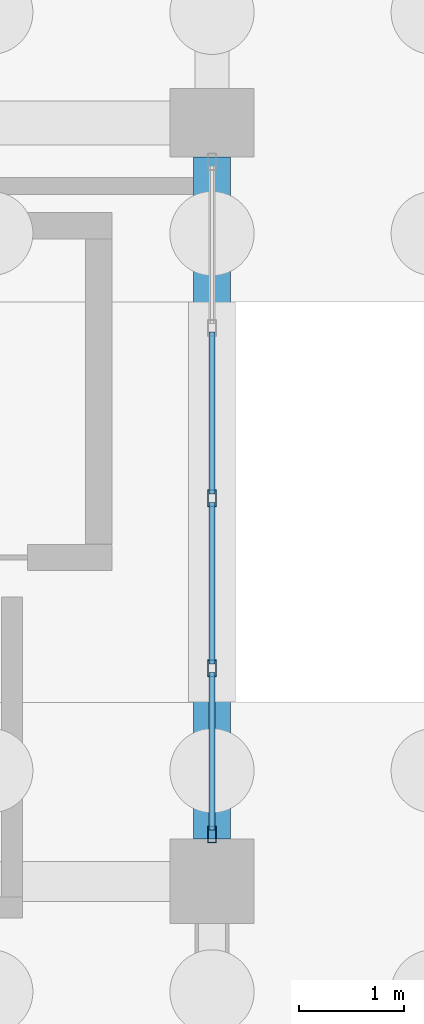
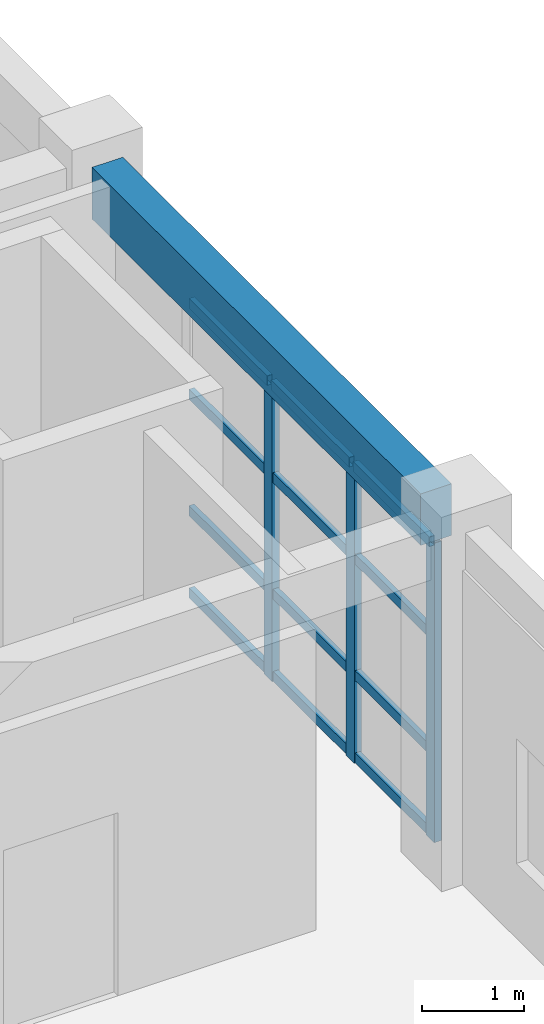
# One storey, part 96 of 166: 15 members, 1 beam, 1 element without a shape of its own.
"""IFC4 building model written with IfcOpenShell, lengths in metres."""

from ifc_helpers import new_model, si_unit, direction, frame, origin, origin_2d, place, context, subcontext, project, spatial, rectangle, hollow_rectangle, extrude, material, material_profile, profile_set, type_object, element, aggregate, save


model = new_model("IFC4")

# Units and contexts
model_context = context("Model", 3, precision=1e-05, world=origin(), true_north=direction((0.0, 1.0)))
body_context = subcontext(model_context, "Body", "Model", "MODEL_VIEW")
ifc_project = project(units=[si_unit("LENGTHUNIT", "METRE"), si_unit("AREAUNIT", "SQUARE_METRE"), si_unit("VOLUMEUNIT", "CUBIC_METRE"), si_unit("PLANEANGLEUNIT", "RADIAN"), si_unit("MASSUNIT", "GRAM", prefix="KILO")], contexts=[model_context])

# Site, building, storey
site_placement = place(None, origin())
site = spatial("IfcSite", under=ifc_project, at=site_placement, CompositionType="ELEMENT")
building_placement = place(site_placement, origin())
building = spatial("IfcBuilding", under=site, at=building_placement, Name="Kharva Crest Polytechnic", CompositionType="ELEMENT")
storey_placement = place(building_placement, origin())
storey = spatial("IfcBuildingStorey", under=building, at=storey_placement, Name="L00", CompositionType="ELEMENT", Elevation=0.0)

# Curtain wall, members
ifc_material_1 = material(Name="Tempered insulated glass", Category="glass")
curtain_wall_type = type_object("IfcCurtainWallType", Name="CW-SYS-COURT", PredefinedType="USERDEFINED", material=ifc_material_1)
curtain_wall_placement = place(storey_placement, origin())
curtain_wall = element("IfcCurtainWall", 1, at=curtain_wall_placement, inside=storey, type_object=curtain_wall_type, Name="L00 Glazed Curtain Wall CW-018", ObjectType="CURTAIN WALL", PredefinedType="USERDEFINED")
ifc_material_2 = material(Name="Steel S355", Category="steel")
ifc_material_profile_1 = material_profile(ifc_material_2, hollow_rectangle(XDim=0.080078125, YDim=0.159912109375, WallThickness=0.0048828125, at=origin_2d()), Name="RHS 160X80X5.0")
ifc_profile_set_1 = profile_set([ifc_material_profile_1], Name="Steel S355")
member_type_1 = type_object("IfcMemberType", Name="CWM-RHS160X80", PredefinedType="MULLION", material=ifc_profile_set_1)
member_1_placement = place(storey_placement, frame((184.0, 86.445068359375, 0.0), z_axis=(0.0, 0.0, 1.0), x_axis=(-1.0, 0.0, 0.0)))
member_1 = element("IfcMember", 2, at=member_1_placement, type_object=member_type_1, Name="CW-018 mullion 1", PredefinedType="MULLION", context=body_context, shape_type="SweptSolid", body=[
    extrude(hollow_rectangle(XDim=0.080078125, YDim=0.159912109375, WallThickness=0.0048828125, at=origin_2d()), origin(), (0.0, 0.0, 1.0), 3.60009765625),
])
member_2_placement = place(storey_placement, frame((184.0, 88.021240234375, 0.0), z_axis=(0.0, 0.0, 1.0), x_axis=(-1.0, 0.0, 0.0)))
member_2 = element("IfcMember", 3, at=member_2_placement, type_object=member_type_1, Name="CW-018 mullion 2", PredefinedType="MULLION", context=body_context, shape_type="SweptSolid", body=[
    extrude(hollow_rectangle(XDim=0.080078125, YDim=0.159912109375, WallThickness=0.0048828125, at=origin_2d()), origin(), (0.0, 0.0, 1.0), 3.60009765625),
])
member_3_placement = place(storey_placement, frame((184.0, 89.637451171875, 0.0), z_axis=(0.0, 0.0, 1.0), x_axis=(-1.0, 0.0, 0.0)))
member_3 = element("IfcMember", 4, at=member_3_placement, type_object=member_type_1, Name="CW-018 mullion 3", PredefinedType="MULLION", context=body_context, shape_type="SweptSolid", body=[
    extrude(hollow_rectangle(XDim=0.080078125, YDim=0.159912109375, WallThickness=0.0048828125, at=origin_2d()), origin(), (0.0, 0.0, 1.0), 3.60009765625),
])
ifc_material_profile_2 = material_profile(ifc_material_2, hollow_rectangle(XDim=0.06005859375, YDim=0.1201171875, WallThickness=0.00390625, at=origin_2d()), Name="RHS 120X60X4.0")
ifc_profile_set_2 = profile_set([ifc_material_profile_2], Name="Steel S355")
member_type_2 = type_object("IfcMemberType", Name="CWT-RHS120X60", PredefinedType="USERDEFINED", material=ifc_profile_set_2)
member_4_placement = place(storey_placement, frame((184.0, 86.485107421875, 0.06005859375), z_axis=(0.0, 1.0, 0.0), x_axis=(-1.0, 0.0, 0.0)))
member_4 = element("IfcMember", 5, at=member_4_placement, type_object=member_type_2, Name="CW-018 transom 1.1", ObjectType="TRANSOM", PredefinedType="USERDEFINED", context=body_context, shape_type="SweptSolid", body=[
    extrude(hollow_rectangle(XDim=0.06005859375, YDim=0.1201171875, WallThickness=0.00390625, at=origin_2d()), origin(), (0.0, 0.0, 1.0), 1.49609375),
])
member_5_placement = place(storey_placement, frame((184.0, 86.485107421875, 1.050048828125), z_axis=(0.0, 1.0, 0.0), x_axis=(-1.0, 0.0, 0.0)))
member_5 = element("IfcMember", 6, at=member_5_placement, type_object=member_type_2, Name="CW-018 transom 1.2", ObjectType="TRANSOM", PredefinedType="USERDEFINED", context=body_context, shape_type="SweptSolid", body=[
    extrude(hollow_rectangle(XDim=0.06005859375, YDim=0.1201171875, WallThickness=0.00390625, at=origin_2d()), origin(), (0.0, 0.0, 1.0), 1.49609375),
])
member_6_placement = place(storey_placement, frame((184.0, 86.485107421875, 2.449951171875), z_axis=(0.0, 1.0, 0.0), x_axis=(-1.0, 0.0, 0.0)))
member_6 = element("IfcMember", 7, at=member_6_placement, type_object=member_type_2, Name="CW-018 transom 1.3", ObjectType="TRANSOM", PredefinedType="USERDEFINED", context=body_context, shape_type="SweptSolid", body=[
    extrude(hollow_rectangle(XDim=0.06005859375, YDim=0.1201171875, WallThickness=0.00390625, at=origin_2d()), origin(), (0.0, 0.0, 1.0), 1.49609375),
])
member_7_placement = place(storey_placement, frame((184.0, 86.485107421875, 3.5400390625), z_axis=(0.0, 1.0, 0.0), x_axis=(-1.0, 0.0, 0.0)))
member_7 = element("IfcMember", 8, at=member_7_placement, type_object=member_type_2, Name="CW-018 transom 1.4", ObjectType="TRANSOM", PredefinedType="USERDEFINED", context=body_context, shape_type="SweptSolid", body=[
    extrude(hollow_rectangle(XDim=0.06005859375, YDim=0.1201171875, WallThickness=0.00390625, at=origin_2d()), origin(), (0.0, 0.0, 1.0), 1.49609375),
])
member_8_placement = place(storey_placement, frame((184.0, 88.061279296875, 0.06005859375), z_axis=(0.0, 1.0, 0.0), x_axis=(-1.0, 0.0, 0.0)))
member_8 = element("IfcMember", 9, at=member_8_placement, type_object=member_type_2, Name="CW-018 transom 2.1", ObjectType="TRANSOM", PredefinedType="USERDEFINED", context=body_context, shape_type="SweptSolid", body=[
    extrude(hollow_rectangle(XDim=0.06005859375, YDim=0.1201171875, WallThickness=0.00390625, at=origin_2d()), origin(), (0.0, 0.0, 1.0), 1.5361328125),
])
member_9_placement = place(storey_placement, frame((184.0, 88.061279296875, 1.050048828125), z_axis=(0.0, 1.0, 0.0), x_axis=(-1.0, 0.0, 0.0)))
member_9 = element("IfcMember", 10, at=member_9_placement, type_object=member_type_2, Name="CW-018 transom 2.2", ObjectType="TRANSOM", PredefinedType="USERDEFINED", context=body_context, shape_type="SweptSolid", body=[
    extrude(hollow_rectangle(XDim=0.06005859375, YDim=0.1201171875, WallThickness=0.00390625, at=origin_2d()), origin(), (0.0, 0.0, 1.0), 1.5361328125),
])
member_10_placement = place(storey_placement, frame((184.0, 88.061279296875, 2.449951171875), z_axis=(0.0, 1.0, 0.0), x_axis=(-1.0, 0.0, 0.0)))
member_10 = element("IfcMember", 11, at=member_10_placement, type_object=member_type_2, Name="CW-018 transom 2.3", ObjectType="TRANSOM", PredefinedType="USERDEFINED", context=body_context, shape_type="SweptSolid", body=[
    extrude(hollow_rectangle(XDim=0.06005859375, YDim=0.1201171875, WallThickness=0.00390625, at=origin_2d()), origin(), (0.0, 0.0, 1.0), 1.5361328125),
])
member_11_placement = place(storey_placement, frame((184.0, 88.061279296875, 3.5400390625), z_axis=(0.0, 1.0, 0.0), x_axis=(-1.0, 0.0, 0.0)))
member_11 = element("IfcMember", 12, at=member_11_placement, type_object=member_type_2, Name="CW-018 transom 2.4", ObjectType="TRANSOM", PredefinedType="USERDEFINED", context=body_context, shape_type="SweptSolid", body=[
    extrude(hollow_rectangle(XDim=0.06005859375, YDim=0.1201171875, WallThickness=0.00390625, at=origin_2d()), origin(), (0.0, 0.0, 1.0), 1.5361328125),
])
member_12_placement = place(storey_placement, frame((184.0, 89.677490234375, 0.06005859375), z_axis=(0.0, 1.0, 0.0), x_axis=(-1.0, 0.0, 0.0)))
member_12 = element("IfcMember", 13, at=member_12_placement, type_object=member_type_2, Name="CW-018 transom 3.1", ObjectType="TRANSOM", PredefinedType="USERDEFINED", context=body_context, shape_type="SweptSolid", body=[
    extrude(hollow_rectangle(XDim=0.06005859375, YDim=0.1201171875, WallThickness=0.00390625, at=origin_2d()), origin(), (0.0, 0.0, 1.0), 1.536376953125),
])
member_13_placement = place(storey_placement, frame((184.0, 89.677490234375, 1.050048828125), z_axis=(0.0, 1.0, 0.0), x_axis=(-1.0, 0.0, 0.0)))
member_13 = element("IfcMember", 14, at=member_13_placement, type_object=member_type_2, Name="CW-018 transom 3.2", ObjectType="TRANSOM", PredefinedType="USERDEFINED", context=body_context, shape_type="SweptSolid", body=[
    extrude(hollow_rectangle(XDim=0.06005859375, YDim=0.1201171875, WallThickness=0.00390625, at=origin_2d()), origin(), (0.0, 0.0, 1.0), 1.536376953125),
])
member_14_placement = place(storey_placement, frame((184.0, 89.677490234375, 2.449951171875), z_axis=(0.0, 1.0, 0.0), x_axis=(-1.0, 0.0, 0.0)))
member_14 = element("IfcMember", 15, at=member_14_placement, type_object=member_type_2, Name="CW-018 transom 3.3", ObjectType="TRANSOM", PredefinedType="USERDEFINED", context=body_context, shape_type="SweptSolid", body=[
    extrude(hollow_rectangle(XDim=0.06005859375, YDim=0.1201171875, WallThickness=0.00390625, at=origin_2d()), origin(), (0.0, 0.0, 1.0), 1.536376953125),
])
member_15_placement = place(storey_placement, frame((184.0, 89.677490234375, 3.5400390625), z_axis=(0.0, 1.0, 0.0), x_axis=(-1.0, 0.0, 0.0)))
member_15 = element("IfcMember", 16, at=member_15_placement, type_object=member_type_2, Name="CW-018 transom 3.4", ObjectType="TRANSOM", PredefinedType="USERDEFINED", context=body_context, shape_type="SweptSolid", body=[
    extrude(hollow_rectangle(XDim=0.06005859375, YDim=0.1201171875, WallThickness=0.00390625, at=origin_2d()), origin(), (0.0, 0.0, 1.0), 1.536376953125),
])
aggregate(curtain_wall, [member_1, member_2, member_3, member_4, member_5, member_6, member_7, member_8, member_9, member_10, member_11, member_12, member_13, member_14, member_15])

# Beam
ifc_material_3 = material(Name="Concrete C35/45", Category="concrete")
ifc_material_profile_3 = material_profile(ifc_material_3, rectangle(XDim=0.35009765625, YDim=0.6201171875, at=origin_2d()), Name="RECT 350 X 620")
ifc_profile_set_3 = profile_set([ifc_material_profile_3], Name="Concrete C35/45")
beam_type = type_object("IfcBeamType", Name="SP-RC-350X620", PredefinedType="SPANDREL", material=ifc_profile_set_3)
beam_placement = place(storey_placement, frame((184.0, 86.39990234375, 3.909912109375), z_axis=(0.0, 1.0, 0.0), x_axis=(-1.0, 0.0, 0.0)))
element("IfcBeam", 17, at=beam_placement, inside=storey, type_object=beam_type, Name="L00 Girder 24/M-N", PredefinedType="SPANDREL", context=body_context, shape_type="SweptSolid", body=[
    extrude(rectangle(XDim=0.35009765625, YDim=0.6201171875, at=origin_2d()), origin(), (0.0, 0.0, 1.0), 6.47509765625),
])

save(model, "model.ifc")
